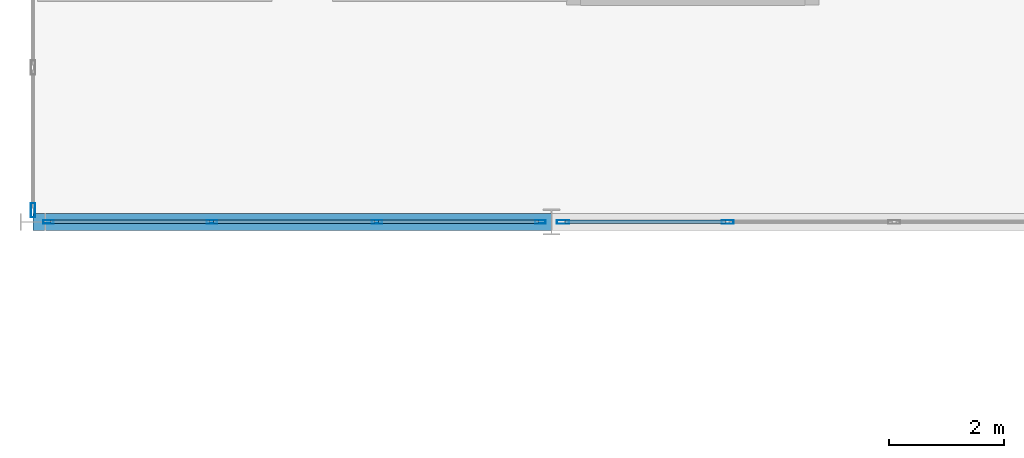
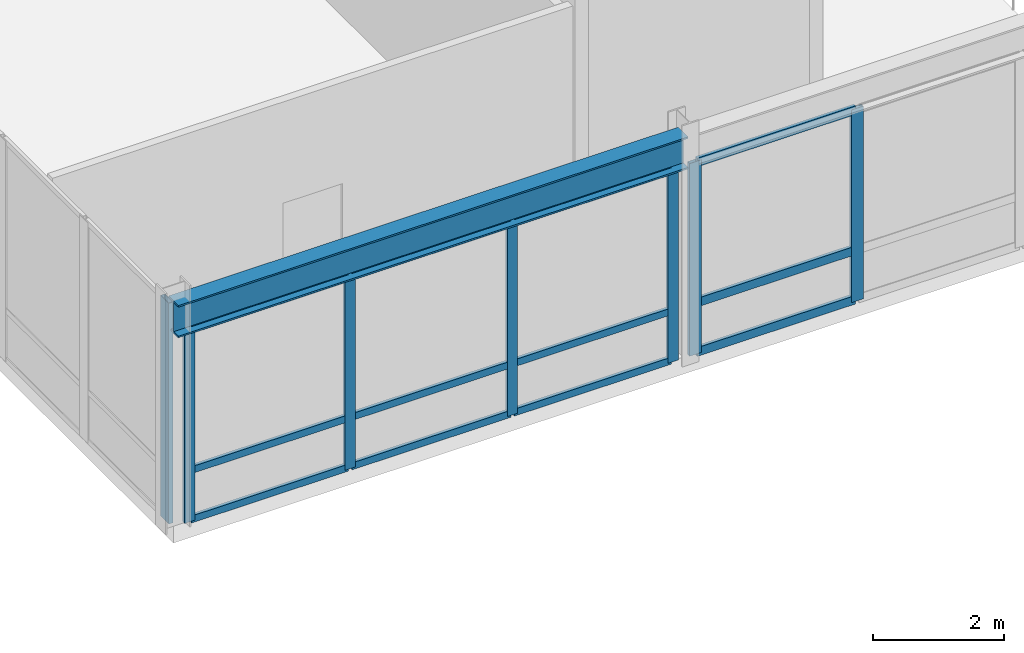
# One storey, part 52 of 115: 19 members, 1 beam, 3 elements without a shape of their own.
"""IFC4 building model written with IfcOpenShell, lengths in metres."""

from ifc_helpers import new_model, si_unit, direction, frame, origin, origin_2d, place, context, subcontext, project, spatial, hollow_rectangle, i_section, extrude, material, layer, layer_set, material_profile, profile_set, type_object, element, aggregate, save


model = new_model("IFC4")

# Units and contexts
model_context = context("Model", 3, precision=1e-05, world=origin(), true_north=direction((0.0, 1.0)))
body_context = subcontext(model_context, "Body", "Model", "MODEL_VIEW")
ifc_project = project(units=[si_unit("LENGTHUNIT", "METRE"), si_unit("AREAUNIT", "SQUARE_METRE"), si_unit("VOLUMEUNIT", "CUBIC_METRE"), si_unit("PLANEANGLEUNIT", "RADIAN"), si_unit("MASSUNIT", "GRAM", prefix="KILO")], contexts=[model_context])

# Site, building, storey
site_placement = place(None, origin())
site = spatial("IfcSite", under=ifc_project, at=site_placement, CompositionType="ELEMENT")
building_placement = place(site_placement, origin())
building = spatial("IfcBuilding", under=site, at=building_placement, Name="Montelvaro Courts of Justice", CompositionType="ELEMENT")
storey_placement = place(building_placement, frame((0.0, 0.0, 9.89990234375)))
storey = spatial("IfcBuildingStorey", under=building, at=storey_placement, Name="L02", CompositionType="ELEMENT", Elevation=9.89990234375)

# Beam
ifc_material_1 = material(Name="Steel S355", Category="steel")
ifc_material_profile_1 = material_profile(ifc_material_1, i_section(OverallWidth=0.300048828125, OverallDepth=0.60009765625, WebThickness=0.015380859375, FlangeThickness=0.030029296875, at=origin_2d()), Name="HEB 600")
ifc_profile_set_1 = profile_set([ifc_material_profile_1], Name="Steel S355")
beam_type = type_object("IfcBeamType", Name="Beam_HEB600", PredefinedType="USERDEFINED", material=ifc_profile_set_1)
beam_placement = place(storey_placement, frame((18.0, 78.0, 3.900146484375), z_axis=(1.0, 0.0, 0.0), x_axis=(0.0, 1.0, 0.0)))
element("IfcBeam", 1, at=beam_placement, inside=storey, type_object=beam_type, Name="V1 Roof Eave Girder", ObjectType="GIRDER", PredefinedType="USERDEFINED", context=body_context, shape_type="SweptSolid", body=[
    extrude(i_section(OverallWidth=0.300048828125, OverallDepth=0.60009765625, WebThickness=0.015380859375, FlangeThickness=0.030029296875, at=origin_2d()), origin(), (0.0, 0.0, 1.0), 9.0),
])

# Curtain wall, members
ifc_material_2 = material(Name="Anodised aluminium EN AW-6063", Category="aluminium")
ifc_layer_1 = layer(ifc_material_2, 0.159912109375)
ifc_layer_set_1 = layer_set([ifc_layer_1], Name="Anodised aluminium EN AW-6063")
curtain_wall_type_1 = type_object("IfcCurtainWallType", Name="CurtainWall_17_861x418", PredefinedType="USERDEFINED", material=ifc_layer_set_1)
curtain_wall_1_placement = place(storey_placement, origin())
curtain_wall_1 = element("IfcCurtainWall", 2, at=curtain_wall_1_placement, inside=storey, type_object=curtain_wall_type_1, Name="Curtain Wall CW-17 (L02)", ObjectType="CURTAIN WALL", PredefinedType="USERDEFINED")
ifc_material_profile_2 = material_profile(ifc_material_2, hollow_rectangle(XDim=0.06005859375, YDim=0.179931640625, WallThickness=0.00439453125, at=origin_2d()), Name="ALU-M 60x180")
ifc_profile_set_2 = profile_set([ifc_material_profile_2], Name="Anodised aluminium EN AW-6063")
member_type_1 = type_object("IfcMemberType", Name="CurtainWall_Mullion_60x180", PredefinedType="MULLION", material=ifc_profile_set_2)
member_1_placement = place(storey_placement, frame((18.27001953125, 78.0, 0.0), z_axis=(0.0, 0.0, 1.0), x_axis=(0.0, 1.0, 0.0)))
member_1 = element("IfcMember", 3, at=member_1_placement, type_object=member_type_1, Name="CW-17 mullion 1", PredefinedType="MULLION", context=body_context, shape_type="SweptSolid", body=[
    extrude(hollow_rectangle(XDim=0.06005859375, YDim=0.179931640625, WallThickness=0.00439453125, at=origin_2d()), origin(), (0.0, 0.0, 1.0), 3.59521484375),
])
member_2_placement = place(storey_placement, frame((21.10498046875, 78.0, 0.0), z_axis=(0.0, 0.0, 1.0), x_axis=(0.0, 1.0, 0.0)))
member_2 = element("IfcMember", 4, at=member_2_placement, type_object=member_type_1, Name="CW-17 mullion 2", PredefinedType="MULLION", context=body_context, shape_type="SweptSolid", body=[
    extrude(hollow_rectangle(XDim=0.06005859375, YDim=0.179931640625, WallThickness=0.00439453125, at=origin_2d()), origin(), (0.0, 0.0, 1.0), 3.59521484375),
])
member_3_placement = place(storey_placement, frame((23.969970703125, 78.0, 0.0), z_axis=(0.0, 0.0, 1.0), x_axis=(0.0, 1.0, 0.0)))
member_3 = element("IfcMember", 5, at=member_3_placement, type_object=member_type_1, Name="CW-17 mullion 3", PredefinedType="MULLION", context=body_context, shape_type="SweptSolid", body=[
    extrude(hollow_rectangle(XDim=0.06005859375, YDim=0.179931640625, WallThickness=0.00439453125, at=origin_2d()), origin(), (0.0, 0.0, 1.0), 3.59521484375),
])
member_4_placement = place(storey_placement, frame((26.804931640625, 78.0, 0.0), z_axis=(0.0, 0.0, 1.0), x_axis=(0.0, 1.0, 0.0)))
member_4 = element("IfcMember", 6, at=member_4_placement, type_object=member_type_1, Name="CW-17 mullion 4", PredefinedType="MULLION", context=body_context, shape_type="SweptSolid", body=[
    extrude(hollow_rectangle(XDim=0.06005859375, YDim=0.179931640625, WallThickness=0.00439453125, at=origin_2d()), origin(), (0.0, 0.0, 1.0), 3.59521484375),
])

ifc_layer_2 = layer(ifc_material_2, 0.159912109375)
ifc_layer_set_2 = layer_set([ifc_layer_2], Name="Anodised aluminium EN AW-6063")
curtain_wall_type_2 = type_object("IfcCurtainWallType", Name="CurtainWall_14_867x418", PredefinedType="USERDEFINED", material=ifc_layer_set_2)
curtain_wall_2_placement = place(storey_placement, origin())
curtain_wall_2 = element("IfcCurtainWall", 7, at=curtain_wall_2_placement, inside=storey, type_object=curtain_wall_type_2, Name="Curtain Wall CW-14 (L02)", ObjectType="CURTAIN WALL", PredefinedType="USERDEFINED")
ifc_material_profile_3 = material_profile(ifc_material_2, hollow_rectangle(XDim=0.06494140625, YDim=0.2099609375, WallThickness=0.0048828125, at=origin_2d()), Name="ALU-M 65x210")
ifc_profile_set_3 = profile_set([ifc_material_profile_3], Name="Anodised aluminium EN AW-6063")
member_type_2 = type_object("IfcMemberType", Name="CurtainWall_Mullion_65x210", PredefinedType="MULLION", material=ifc_profile_set_3)
member_5_placement = place(storey_placement, frame((27.197509765625, 78.0, 0.0), z_axis=(0.0, 0.0, 1.0), x_axis=(0.0, 1.0, 0.0)))
member_5 = element("IfcMember", 8, at=member_5_placement, type_object=member_type_2, Name="CW-14 mullion 1", PredefinedType="MULLION", context=body_context, shape_type="SweptSolid", body=[
    extrude(hollow_rectangle(XDim=0.06494140625, YDim=0.2099609375, WallThickness=0.0048828125, at=origin_2d()), origin(), (0.0, 0.0, 1.0), 3.59521484375),
])
member_6_placement = place(storey_placement, frame((30.054931640625, 78.0, 0.0), z_axis=(0.0, 0.0, 1.0), x_axis=(0.0, 1.0, 0.0)))
member_6 = element("IfcMember", 9, at=member_6_placement, type_object=member_type_2, Name="CW-14 mullion 2", PredefinedType="MULLION", context=body_context, shape_type="SweptSolid", body=[
    extrude(hollow_rectangle(XDim=0.06494140625, YDim=0.2099609375, WallThickness=0.0048828125, at=origin_2d()), origin(), (0.0, 0.0, 1.0), 3.59521484375),
])

# Curtain wall, member
ifc_layer_3 = layer(ifc_material_2, 0.159912109375)
ifc_layer_set_3 = layer_set([ifc_layer_3], Name="Anodised aluminium EN AW-6063")
curtain_wall_type_3 = type_object("IfcCurtainWallType", Name="CurtainWall_22_1761x418", PredefinedType="USERDEFINED", material=ifc_layer_set_3)
curtain_wall_3_placement = place(storey_placement, origin())
curtain_wall_3 = element("IfcCurtainWall", 10, at=curtain_wall_3_placement, inside=storey, type_object=curtain_wall_type_3, Name="Curtain Wall CW-22 (L02)", ObjectType="CURTAIN WALL", PredefinedType="USERDEFINED")
ifc_material_profile_4 = material_profile(ifc_material_2, hollow_rectangle(XDim=0.074951171875, YDim=0.25, WallThickness=0.005615234375, at=origin_2d()), Name="ALU-M 75x250")
ifc_profile_set_4 = profile_set([ifc_material_profile_4], Name="Anodised aluminium EN AW-6063")
member_type_3 = type_object("IfcMemberType", Name="CurtainWall_Mullion_75x250", PredefinedType="MULLION", material=ifc_profile_set_4)
member_7_placement = place(storey_placement, frame((18.0, 78.202392578125, 0.0), z_axis=(0.0, 0.0, 1.0), x_axis=(1.0, 0.0, 0.0)))
member_7 = element("IfcMember", 11, at=member_7_placement, type_object=member_type_3, Name="CW-22 mullion 8", PredefinedType="MULLION", context=body_context, shape_type="SweptSolid", body=[
    extrude(hollow_rectangle(XDim=0.074951171875, YDim=0.25, WallThickness=0.005615234375, at=origin_2d()), origin(), (0.0, 0.0, 1.0), 4.1201171875),
])
aggregate(curtain_wall_3, [member_7])

# Member
ifc_material_profile_5 = material_profile(ifc_material_2, hollow_rectangle(XDim=0.06005859375, YDim=0.1298828125, WallThickness=0.00390625, at=origin_2d()), Name="ALU-T 60x130")
ifc_profile_set_5 = profile_set([ifc_material_profile_5], Name="Anodised aluminium EN AW-6063")
member_type_4 = type_object("IfcMemberType", Name="CurtainWall_Transom_60x130", PredefinedType="USERDEFINED", material=ifc_profile_set_5)
member_8_placement = place(storey_placement, frame((18.300048828125, 78.0, 0.030029296875), z_axis=(1.0, 0.0, 0.0), x_axis=(0.0, 1.0, 0.0)))
member_8 = element("IfcMember", 12, at=member_8_placement, type_object=member_type_4, Name="CW-17 transom 1.1", ObjectType="TRANSOM", PredefinedType="USERDEFINED", context=body_context, shape_type="SweptSolid", body=[
    extrude(hollow_rectangle(XDim=0.06005859375, YDim=0.1298828125, WallThickness=0.00390625, at=origin_2d()), origin(), (0.0, 0.0, 1.0), 2.77490234375),
])

member_9_placement = place(storey_placement, frame((18.300048828125, 78.0, 0.9501953125), z_axis=(1.0, 0.0, 0.0), x_axis=(0.0, 1.0, 0.0)))
member_9 = element("IfcMember", 13, at=member_9_placement, type_object=member_type_4, Name="CW-17 transom 1.2", ObjectType="TRANSOM", PredefinedType="USERDEFINED", context=body_context, shape_type="SweptSolid", body=[
    extrude(hollow_rectangle(XDim=0.06005859375, YDim=0.1298828125, WallThickness=0.00390625, at=origin_2d()), origin(), (0.0, 0.0, 1.0), 2.77490234375),
])

member_10_placement = place(storey_placement, frame((18.300048828125, 78.0, 3.565185546875), z_axis=(1.0, 0.0, 0.0), x_axis=(0.0, 1.0, 0.0)))
member_10 = element("IfcMember", 14, at=member_10_placement, type_object=member_type_4, Name="CW-17 transom 1.3", ObjectType="TRANSOM", PredefinedType="USERDEFINED", context=body_context, shape_type="SweptSolid", body=[
    extrude(hollow_rectangle(XDim=0.06005859375, YDim=0.1298828125, WallThickness=0.00390625, at=origin_2d()), origin(), (0.0, 0.0, 1.0), 2.77490234375),
])

member_11_placement = place(storey_placement, frame((21.135009765625, 78.0, 0.030029296875), z_axis=(1.0, 0.0, 0.0), x_axis=(0.0, 1.0, 0.0)))
member_11 = element("IfcMember", 15, at=member_11_placement, type_object=member_type_4, Name="CW-17 transom 2.1", ObjectType="TRANSOM", PredefinedType="USERDEFINED", context=body_context, shape_type="SweptSolid", body=[
    extrude(hollow_rectangle(XDim=0.06005859375, YDim=0.1298828125, WallThickness=0.00390625, at=origin_2d()), origin(), (0.0, 0.0, 1.0), 2.804931640625),
])

member_12_placement = place(storey_placement, frame((21.135009765625, 78.0, 0.9501953125), z_axis=(1.0, 0.0, 0.0), x_axis=(0.0, 1.0, 0.0)))
member_12 = element("IfcMember", 16, at=member_12_placement, type_object=member_type_4, Name="CW-17 transom 2.2", ObjectType="TRANSOM", PredefinedType="USERDEFINED", context=body_context, shape_type="SweptSolid", body=[
    extrude(hollow_rectangle(XDim=0.06005859375, YDim=0.1298828125, WallThickness=0.00390625, at=origin_2d()), origin(), (0.0, 0.0, 1.0), 2.804931640625),
])

member_13_placement = place(storey_placement, frame((21.135009765625, 78.0, 3.565185546875), z_axis=(1.0, 0.0, 0.0), x_axis=(0.0, 1.0, 0.0)))
member_13 = element("IfcMember", 17, at=member_13_placement, type_object=member_type_4, Name="CW-17 transom 2.3", ObjectType="TRANSOM", PredefinedType="USERDEFINED", context=body_context, shape_type="SweptSolid", body=[
    extrude(hollow_rectangle(XDim=0.06005859375, YDim=0.1298828125, WallThickness=0.00390625, at=origin_2d()), origin(), (0.0, 0.0, 1.0), 2.804931640625),
])

member_14_placement = place(storey_placement, frame((24.0, 78.0, 0.030029296875), z_axis=(1.0, 0.0, 0.0), x_axis=(0.0, 1.0, 0.0)))
member_14 = element("IfcMember", 18, at=member_14_placement, type_object=member_type_4, Name="CW-17 transom 3.1", ObjectType="TRANSOM", PredefinedType="USERDEFINED", context=body_context, shape_type="SweptSolid", body=[
    extrude(hollow_rectangle(XDim=0.06005859375, YDim=0.1298828125, WallThickness=0.00390625, at=origin_2d()), origin(), (0.0, 0.0, 1.0), 2.77490234375),
])

member_15_placement = place(storey_placement, frame((24.0, 78.0, 0.9501953125), z_axis=(1.0, 0.0, 0.0), x_axis=(0.0, 1.0, 0.0)))
member_15 = element("IfcMember", 19, at=member_15_placement, type_object=member_type_4, Name="CW-17 transom 3.2", ObjectType="TRANSOM", PredefinedType="USERDEFINED", context=body_context, shape_type="SweptSolid", body=[
    extrude(hollow_rectangle(XDim=0.06005859375, YDim=0.1298828125, WallThickness=0.00390625, at=origin_2d()), origin(), (0.0, 0.0, 1.0), 2.77490234375),
])

member_16_placement = place(storey_placement, frame((24.0, 78.0, 3.565185546875), z_axis=(1.0, 0.0, 0.0), x_axis=(0.0, 1.0, 0.0)))
member_16 = element("IfcMember", 20, at=member_16_placement, type_object=member_type_4, Name="CW-17 transom 3.3", ObjectType="TRANSOM", PredefinedType="USERDEFINED", context=body_context, shape_type="SweptSolid", body=[
    extrude(hollow_rectangle(XDim=0.06005859375, YDim=0.1298828125, WallThickness=0.00390625, at=origin_2d()), origin(), (0.0, 0.0, 1.0), 2.77490234375),
])

aggregate(curtain_wall_1, [member_1, member_2, member_3, member_4, member_8, member_9, member_10, member_11, member_12, member_13, member_14, member_15, member_16])

ifc_material_profile_6 = material_profile(ifc_material_2, hollow_rectangle(XDim=0.06005859375, YDim=0.159912109375, WallThickness=0.00439453125, at=origin_2d()), Name="ALU-T 60x160")
ifc_profile_set_6 = profile_set([ifc_material_profile_6], Name="Anodised aluminium EN AW-6063")
member_type_5 = type_object("IfcMemberType", Name="CurtainWall_Transom_60x160", PredefinedType="USERDEFINED", material=ifc_profile_set_6)
member_17_placement = place(storey_placement, frame((27.22998046875, 78.0, 0.030029296875), z_axis=(1.0, 0.0, 0.0), x_axis=(0.0, 1.0, 0.0)))
member_17 = element("IfcMember", 21, at=member_17_placement, type_object=member_type_5, Name="CW-14 transom 1.1", ObjectType="TRANSOM", PredefinedType="USERDEFINED", context=body_context, shape_type="SweptSolid", body=[
    extrude(hollow_rectangle(XDim=0.06005859375, YDim=0.159912109375, WallThickness=0.00439453125, at=origin_2d()), origin(), (0.0, 0.0, 1.0), 2.79248046875),
])

member_18_placement = place(storey_placement, frame((27.22998046875, 78.0, 0.9501953125), z_axis=(1.0, 0.0, 0.0), x_axis=(0.0, 1.0, 0.0)))
member_18 = element("IfcMember", 22, at=member_18_placement, type_object=member_type_5, Name="CW-14 transom 1.2", ObjectType="TRANSOM", PredefinedType="USERDEFINED", context=body_context, shape_type="SweptSolid", body=[
    extrude(hollow_rectangle(XDim=0.06005859375, YDim=0.159912109375, WallThickness=0.00439453125, at=origin_2d()), origin(), (0.0, 0.0, 1.0), 2.79248046875),
])

member_19_placement = place(storey_placement, frame((27.22998046875, 78.0, 3.565185546875), z_axis=(1.0, 0.0, 0.0), x_axis=(0.0, 1.0, 0.0)))
member_19 = element("IfcMember", 23, at=member_19_placement, type_object=member_type_5, Name="CW-14 transom 1.3", ObjectType="TRANSOM", PredefinedType="USERDEFINED", context=body_context, shape_type="SweptSolid", body=[
    extrude(hollow_rectangle(XDim=0.06005859375, YDim=0.159912109375, WallThickness=0.00439453125, at=origin_2d()), origin(), (0.0, 0.0, 1.0), 2.79248046875),
])

aggregate(curtain_wall_2, [member_5, member_6, member_17, member_18, member_19])

save(model, "model.ifc")
